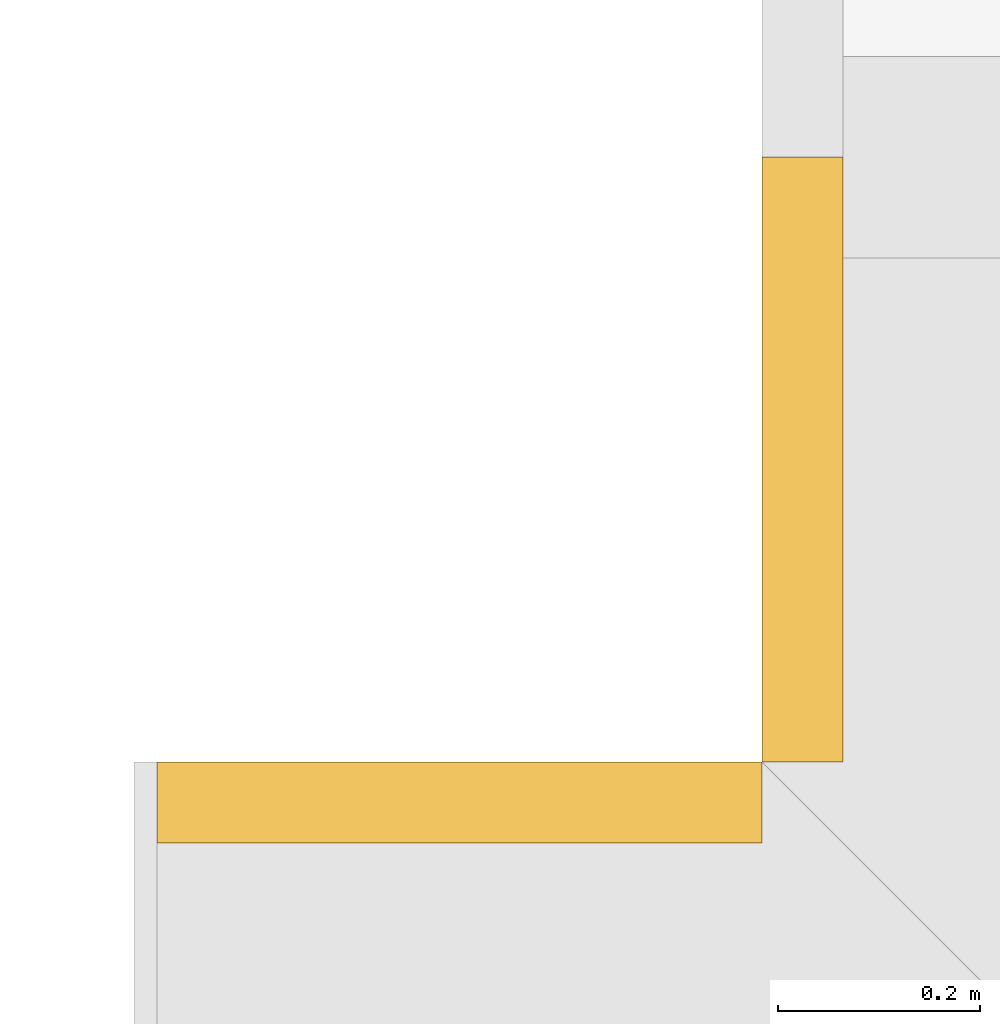
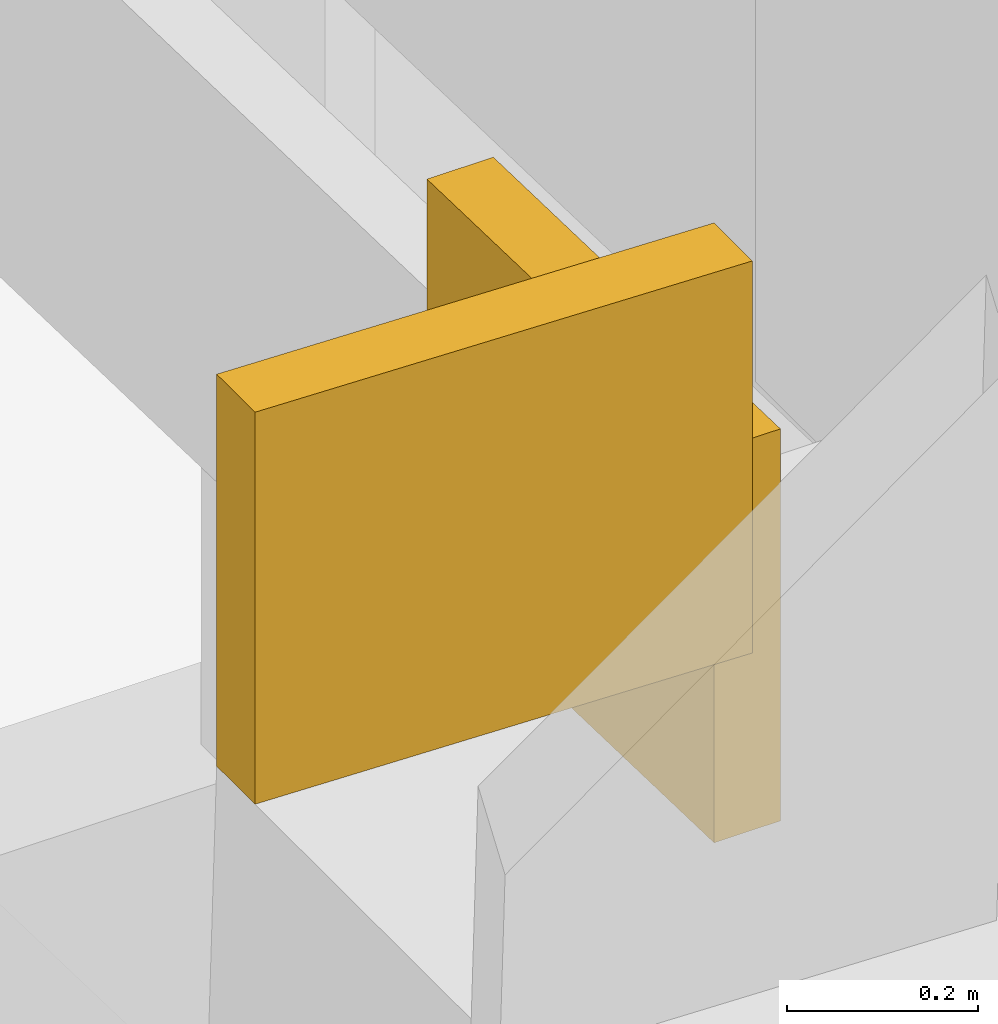
# One storey, part 21 of 21: 2 coverings.
"""IFC4 building model written with IfcOpenShell, lengths in metres."""

from ifc_helpers import new_model, si_unit, direction, frame, origin, place, context, subcontext, project, spatial, polyline, outline, extrude, material, layer, layer_set, type_object, element, save


model = new_model("IFC4")

# Units and contexts
model_context = context("Model", 3, precision=1e-05, world=origin(), true_north=direction((0.0, 1.0)))
body_context = subcontext(model_context, "Body", "Model", "MODEL_VIEW")
ifc_project = project(units=[si_unit("LENGTHUNIT", "METRE"), si_unit("AREAUNIT", "SQUARE_METRE"), si_unit("VOLUMEUNIT", "CUBIC_METRE"), si_unit("PLANEANGLEUNIT", "RADIAN"), si_unit("MASSUNIT", "GRAM", prefix="KILO")], contexts=[model_context])

# Site, building, storey
site_placement = place(None, origin())
site = spatial("IfcSite", under=ifc_project, at=site_placement, CompositionType="ELEMENT")
building_placement = place(site_placement, origin())
building = spatial("IfcBuilding", under=site, at=building_placement, Name="Saffron Gate Tower", CompositionType="ELEMENT")
storey_placement = place(building_placement, frame((0.0, 0.0, 299.550048828125)))
storey = spatial("IfcBuildingStorey", under=building, at=storey_placement, Name="L73", CompositionType="ELEMENT", Elevation=299.550048828125)

# Coverings
ifc_material = material(Name="Timber, thermally modified ash", Category="wood")
ifc_layer = layer(ifc_material, 0.080078125)
ifc_layer_set = layer_set([ifc_layer], Name="LD2 ledge planter trough")
covering_type = type_object("IfcCoveringType", Name="LD2 ledge planter trough", PredefinedType="CLADDING", material=ifc_layer_set)
covering_1_placement = place(storey_placement, frame((58.800048828125, 73.800048828125, 3.083740234375), z_axis=(-1.0, 0.0, 0.0), x_axis=(0.0, -0.999583081391, 0.028873229772)))
element("IfcCovering", 1, at=covering_1_placement, inside=storey, type_object=covering_type, Name="LEDGE planter trough", PredefinedType="CLADDING", context=body_context, shape_type="SweptSolid", body=[
    extrude(outline(polyline([(0.0, 0.0), (0.6003479524834376, -3.469446951953614e-18), (0.6147845673692678, 0.4997915406953566), (0.014436614885830073, 0.4997915406953566), (0.0, 0.0)])), origin(), (0.0, 0.0, -1.0), 0.080078125),
])
covering_2_placement = place(storey_placement, frame((58.800048828125, 73.199951171875, 3.391845703125), z_axis=(0.0, 1.0, 0.0), x_axis=(-0.999594735783, 0.0, 0.028466896463)))
element("IfcCovering", 2, at=covering_2_placement, inside=storey, type_object=covering_type, Name="LEDGE planter trough", PredefinedType="CLADDING", context=body_context, shape_type="SweptSolid", body=[
    extrude(outline(polyline([(0.0, 0.0), (0.6003409529560203, 0.0), (0.6145744011872722, 0.499797367891677), (0.014233448231251987, 0.49979736789167695), (0.0, 0.0)])), origin(), (0.0, 0.0, -1.0), 0.080078125),
])

save(model, "model.ifc")
